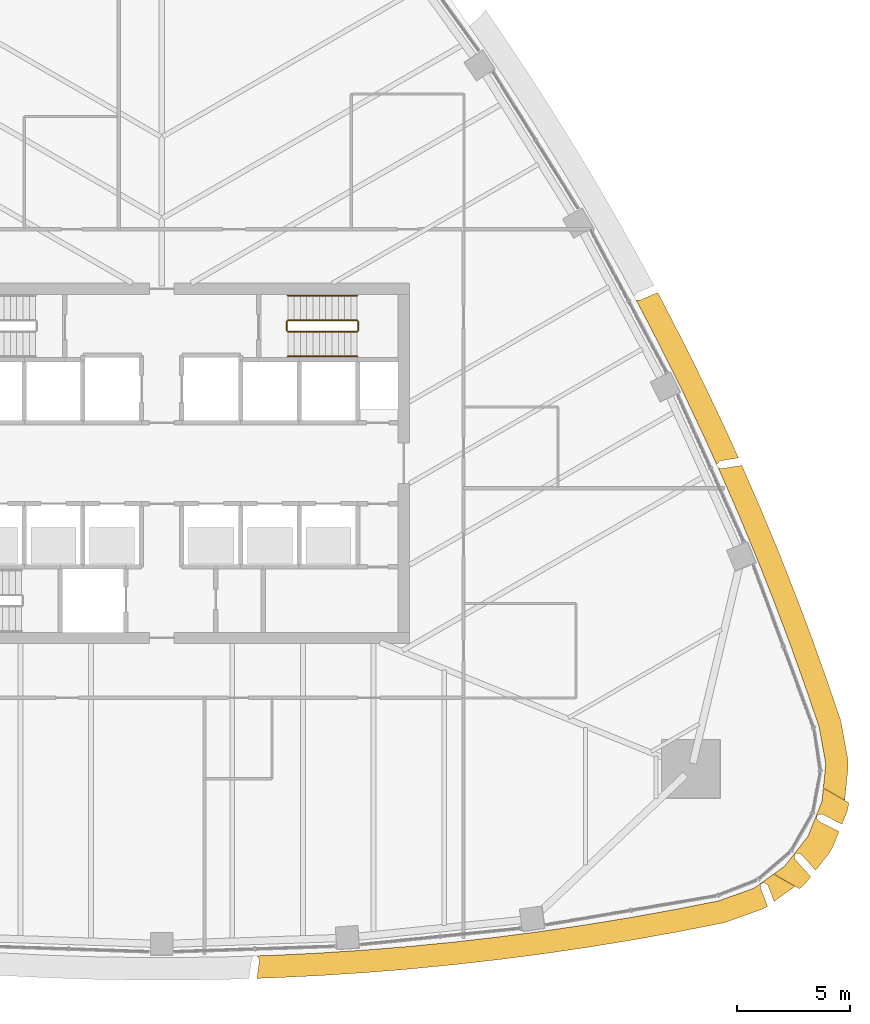
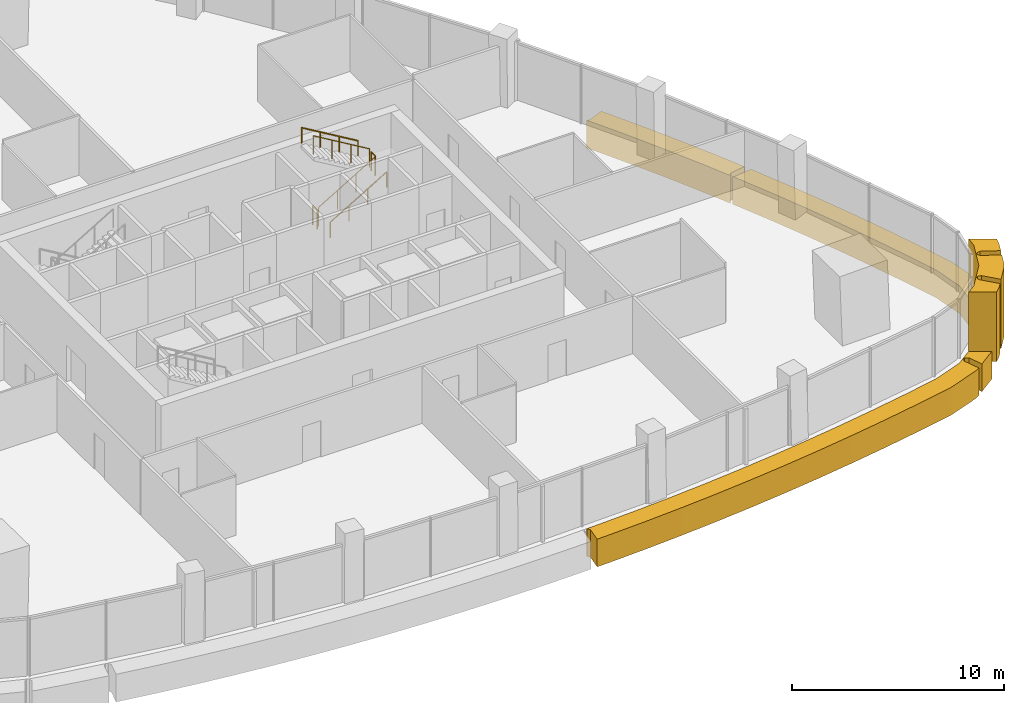
# One storey, part 14 of 16: 6 railings, 4 coverings.
"""IFC4 building model written with IfcOpenShell, lengths in metres."""

from ifc_helpers import new_model, si_unit, direction, frame, origin, origin_2d, place, context, subcontext, project, spatial, polyline, circle, outline, extrude, material, layer, layer_set, type_object, element, save


model = new_model("IFC4")

# Units and contexts
model_context = context("Model", 3, precision=1e-05, world=origin(), true_north=direction((0.0, 1.0)))
body_context = subcontext(model_context, "Body", "Model", "MODEL_VIEW")
ifc_project = project(units=[si_unit("LENGTHUNIT", "METRE"), si_unit("AREAUNIT", "SQUARE_METRE"), si_unit("VOLUMEUNIT", "CUBIC_METRE"), si_unit("PLANEANGLEUNIT", "RADIAN"), si_unit("MASSUNIT", "GRAM", prefix="KILO")], contexts=[model_context])

# Site, building, storey
site_placement = place(None, origin())
site = spatial("IfcSite", under=ifc_project, at=site_placement, CompositionType="ELEMENT")
building_placement = place(site_placement, origin())
building = spatial("IfcBuilding", under=site, at=building_placement, Name="Sierra Prisma Convention Tower", CompositionType="ELEMENT")
storey_placement = place(building_placement, frame((0.0, 0.0, 181.800048828125)))
storey = spatial("IfcBuildingStorey", under=building, at=storey_placement, Name="L40", CompositionType="ELEMENT", Elevation=181.800048828125)

# Coverings
ifc_material_1 = material(Name="Aluminium composite bronze anodised", Category="aluminium")
ifc_layer_1 = layer(ifc_material_1, 1.199951171875)
ifc_layer_set_1 = layer_set([ifc_layer_1], Name="Bronze corner pier")
covering_type_1 = type_object("IfcCoveringType", Name="Bronze corner pier", PredefinedType="CLADDING", material=ifc_layer_set_1)
covering_1_placement = place(storey_placement, frame((0.0, 0.0, -0.60009765625)))
element("IfcCovering", 1, at=covering_1_placement, inside=storey, type_object=covering_type_1, Name="Corner pier SE L40.1", PredefinedType="CLADDING", context=body_context, shape_type="SweptSolid", body=[
    extrude(outline(polyline([(29.339111328125, -15.581787109375), (29.334228515625, -15.580322265625), (29.329345703125, -15.5791015625), (29.32421875, -15.57861328125), (29.3193359375, -15.57861328125), (29.314208984375, -15.578857421875), (29.1650390625, -15.59912109375), (29.160400390625, -15.60009765625), (29.15576171875, -15.601318359375), (29.151123046875, -15.60302734375), (29.14697265625, -15.605224609375), (29.142822265625, -15.60791015625), (29.13916015625, -15.61083984375), (29.1357421875, -15.614013671875), (29.132568359375, -15.61767578125), (29.1298828125, -15.62158203125), (29.127197265625, -15.625732421875), (29.125244140625, -15.6298828125), (29.087890625, -15.722900390625), (29.08642578125, -15.727294921875), (29.085205078125, -15.732177734375), (29.084716796875, -15.73681640625), (29.08447265625, -15.74169921875), (29.084716796875, -15.74658203125), (29.08544921875, -15.75146484375), (29.086669921875, -15.756103515625), (29.088134765625, -15.7607421875), (29.09033203125, -15.76513671875), (29.0927734375, -15.769287109375), (29.166259765625, -15.879150390625), (29.169189453125, -15.88330078125), (29.172607421875, -15.886962890625), (29.176513671875, -15.890380859375), (29.1806640625, -15.893310546875), (29.18505859375, -15.89599609375), (30.075927734375, -16.3486328125), (29.8076171875, -17.014892578125), (29.63916015625, -17.306396484375), (29.0380859375, -18.07421875), (28.3935546875, -17.356689453125), (28.390380859375, -17.353515625), (28.38671875, -17.3505859375), (28.3828125, -17.347900390625), (28.37890625, -17.345458984375), (28.37451171875, -17.343505859375), (28.3701171875, -17.342041015625), (28.36572265625, -17.341064453125), (28.208984375, -17.311279296875), (28.2041015625, -17.310546875), (28.19921875, -17.310302734375), (28.194091796875, -17.310791015625), (28.189208984375, -17.3115234375), (28.1845703125, -17.312744140625), (28.1796875, -17.314453125), (28.17529296875, -17.316650390625), (28.171142578125, -17.3193359375), (28.167236328125, -17.322509765625), (28.16357421875, -17.32568359375), (28.160400390625, -17.32958984375), (28.0986328125, -17.408203125), (28.095703125, -17.41259765625), (28.09326171875, -17.4169921875), (28.091064453125, -17.421875), (28.089599609375, -17.4267578125), (28.088623046875, -17.431884765625), (28.088134765625, -17.43701171875), (28.088134765625, -17.442138671875), (28.088623046875, -17.447265625), (28.08984375, -17.452392578125), (28.1220703125, -17.5703125), (28.12353515625, -17.574951171875), (28.12548828125, -17.5791015625), (28.127685546875, -17.583251953125), (28.130126953125, -17.587158203125), (28.13330078125, -17.5908203125), (28.81884765625, -18.35400390625), (28.606201171875, -18.62548828125), (28.363525390625, -18.85888671875), (28.319580078125, -18.890625), (27.180419921875, -18.23291015625), (27.66162109375, -17.8857421875), (28.6943359375, -16.566650390625), (29.3203125, -15.0126953125), (29.38037109375, -14.42236328125), (30.51953125, -15.080078125), (30.513916015625, -15.13427734375), (30.433349609375, -15.461181640625), (30.207275390625, -16.022705078125), (29.343505859375, -15.583984375), (29.339111328125, -15.581787109375)])), origin(), (0.0, 0.0, 1.0), 4.0),
])
ifc_material_2 = material(Name="Aluminium composite bronze anodised", Category="aluminium")
ifc_layer_2 = layer(ifc_material_2, 1.0)
ifc_layer_set_2 = layer_set([ifc_layer_2], Name="Bronze spandrel band")
covering_type_2 = type_object("IfcCoveringType", Name="Bronze spandrel band", PredefinedType="CLADDING", material=ifc_layer_set_2)
covering_2_placement = place(storey_placement, frame((0.0, 0.0, -1.60009765625)))
element("IfcCovering", 2, at=covering_2_placement, inside=storey, type_object=covering_type_2, Name="Spandrel band L40.4", PredefinedType="CLADDING", context=body_context, shape_type="SweptSolid", body=[
    extrude(outline(polyline([(24.787353515625, 0.10546875), (24.783203125, 0.1025390625), (24.779541015625, 0.099365234375), (24.776123046875, 0.095703125), (24.666015625, -0.03125), (24.6630859375, -0.034912109375), (24.66064453125, -0.038818359375), (24.658447265625, -0.043212890625), (24.65673828125, -0.047607421875), (24.655517578125, -0.052001953125), (24.654541015625, -0.056640625), (24.654052734375, -0.061279296875), (24.654052734375, -0.066162109375), (24.654296875, -0.07080078125), (24.654541015625, -0.0712890625), (24.052490234375, 1.254638671875), (23.19970703125, 3.054443359375), (22.31787109375, 4.840087890625), (21.406982421875, 6.611572265625), (21.052001953125, 7.275390625), (21.054443359375, 7.27294921875), (21.058349609375, 7.27001953125), (21.0625, 7.267578125), (21.06689453125, 7.265380859375), (21.0712890625, 7.263671875), (21.076171875, 7.262451171875), (21.080810546875, 7.26171875), (21.212158203125, 7.24658203125), (21.21728515625, 7.24609375), (21.222412109375, 7.246337890625), (21.2275390625, 7.2470703125), (21.232421875, 7.248291015625), (21.2373046875, 7.25), (22.023193359375, 7.579833984375), (22.288818359375, 7.0830078125), (22.29638671875, 7.068603515625), (23.20703125, 5.297607421875), (23.21435546875, 5.282958984375), (24.09619140625, 3.497314453125), (24.103271484375, 3.482666015625), (24.9560546875, 1.682861328125), (24.962890625, 1.668212890625), (25.6103515625, 0.24267578125), (24.805908203125, 0.1123046875), (24.801025390625, 0.111328125), (24.79638671875, 0.10986328125), (24.791748046875, 0.10791015625), (24.787353515625, 0.10546875)])), origin(), (0.0, 0.0, 1.0), 1.60009765625),
])
covering_3_placement = place(storey_placement, frame((0.0, 0.0, -1.60009765625)))
element("IfcCovering", 3, at=covering_3_placement, inside=storey, type_object=covering_type_2, Name="Spandrel band L40.5", PredefinedType="CLADDING", context=body_context, shape_type="SweptSolid", body=[
    extrude(outline(polyline([(30.4736328125, -13.1669921875), (30.484619140625, -13.447509765625), (30.330810546875, -14.959716796875), (29.38134765625, -14.41162109375), (29.48974609375, -13.34619140625), (29.189697265625, -11.697998046875), (28.54638671875, -9.81298828125), (27.87255859375, -7.93896484375), (27.16845703125, -6.075927734375), (26.43408203125, -4.224609375), (25.669921875, -2.385498046875), (24.8759765625, -0.558837890625), (24.707763671875, -0.188720703125), (24.710693359375, -0.191650390625), (24.714599609375, -0.19482421875), (24.718505859375, -0.19775390625), (24.722900390625, -0.2001953125), (24.7275390625, -0.201904296875), (24.732177734375, -0.20361328125), (24.84130859375, -0.232177734375), (24.84619140625, -0.233154296875), (24.8515625, -0.233642578125), (24.856689453125, -0.233642578125), (24.86181640625, -0.233154296875), (25.76025390625, -0.087646484375), (25.786376953125, -0.145263671875), (25.79296875, -0.16015625), (26.5869140625, -1.98681640625), (26.59326171875, -2.001708984375), (27.357666015625, -3.8408203125), (27.36376953125, -3.85595703125), (28.097900390625, -5.707275390625), (28.103759765625, -5.722412109375), (28.80810546875, -7.58544921875), (28.813720703125, -7.6005859375), (29.4873046875, -9.474853515625), (29.492919921875, -9.489990234375), (30.135986328125, -11.375), (30.173583984375, -11.518798828125), (30.4736328125, -13.1669921875)])), origin(), (0.0, 0.0, 1.0), 1.60009765625),
])
covering_4_placement = place(storey_placement, frame((0.0, 0.0, -1.60009765625)))
element("IfcCovering", 4, at=covering_4_placement, inside=storey, type_object=covering_type_2, Name="Spandrel band L40.6", PredefinedType="CLADDING", context=body_context, shape_type="SweptSolid", body=[
    extrude(outline(polyline([(26.917236328125, -18.72509765625), (26.91455078125, -18.720947265625), (26.9111328125, -18.71728515625), (26.90771484375, -18.713623046875), (26.90380859375, -18.710693359375), (26.8994140625, -18.7080078125), (26.7529296875, -18.6259765625), (26.748779296875, -18.623779296875), (26.744384765625, -18.6220703125), (26.73974609375, -18.620849609375), (26.735107421875, -18.619873046875), (26.73046875, -18.619384765625), (26.7255859375, -18.61962890625), (26.720947265625, -18.6201171875), (26.71630859375, -18.62109375), (26.7119140625, -18.622314453125), (26.70751953125, -18.6240234375), (26.703125, -18.626220703125), (26.69921875, -18.62890625), (26.6181640625, -18.6875), (26.6142578125, -18.6904296875), (26.610595703125, -18.694091796875), (26.607666015625, -18.69775390625), (26.604736328125, -18.701904296875), (26.602294921875, -18.706298828125), (26.6005859375, -18.710693359375), (26.59912109375, -18.715576171875), (26.597900390625, -18.72021484375), (26.597412109375, -18.725341796875), (26.59130859375, -18.837646484375), (26.59130859375, -18.843017578125), (26.591796875, -18.84814453125), (26.593017578125, -18.853271484375), (26.594482421875, -18.858154296875), (26.90185546875, -19.6669921875), (26.88818359375, -19.6767578125), (26.639892578125, -19.807373046875), (25.0625, -20.37158203125), (24.919189453125, -20.4111328125), (22.965087890625, -20.79638671875), (22.94921875, -20.799560546875), (20.989013671875, -21.153076171875), (20.97314453125, -21.15576171875), (19.007568359375, -21.477294921875), (18.99169921875, -21.47998046875), (17.02099609375, -21.769775390625), (17.0048828125, -21.77197265625), (15.030029296875, -22.02978515625), (15.013916015625, -22.031494140625), (13.03515625, -22.25732421875), (13.01904296875, -22.259033203125), (11.036865234375, -22.45263671875), (11.020751953125, -22.4541015625), (9.03564453125, -22.615478515625), (9.019287109375, -22.61669921875), (7.031982421875, -22.745849609375), (7.015869140625, -22.74658203125), (5.026611328125, -22.843505859375), (5.01025390625, -22.84423828125), (4.2294921875, -22.86962890625), (4.339599609375, -22.062744140625), (4.340087890625, -22.05810546875), (4.340087890625, -22.053466796875), (4.339599609375, -22.048828125), (4.338623046875, -22.044189453125), (4.33740234375, -22.039794921875), (4.335693359375, -22.035400390625), (4.33349609375, -22.03125), (4.2548828125, -21.892578125), (4.252197265625, -21.888427734375), (4.249267578125, -21.884521484375), (4.245849609375, -21.880859375), (4.241943359375, -21.877685546875), (4.238037109375, -21.874755859375), (4.233642578125, -21.872314453125), (4.22900390625, -21.870361328125), (4.22509765625, -21.869140625), (4.977783203125, -21.8447265625), (6.967041015625, -21.747802734375), (8.95458984375, -21.61865234375), (10.939697265625, -21.457275390625), (12.921875, -21.263916015625), (14.900634765625, -21.0380859375), (16.87548828125, -20.7802734375), (18.84619140625, -20.490478515625), (20.8115234375, -20.1689453125), (22.771484375, -19.815185546875), (24.7255859375, -19.43017578125), (26.302978515625, -18.86572265625), (27.17138671875, -18.2392578125), (28.120849609375, -18.787353515625), (27.19580078125, -19.454833984375), (26.921630859375, -18.73388671875), (26.919921875, -18.729248046875), (26.917236328125, -18.72509765625)])), origin(), (0.0, 0.0, 1.0), 1.60009765625),
])

# Railings
ifc_material_3 = material(Name="Stainless steel", Category="steel")
railing_type_1 = type_object("IfcRailingType", Name="Exit stair handrail", PredefinedType="HANDRAIL", material=ifc_material_3)
railing_1_placement = place(storey_placement, frame((5.60009765625, 4.75, 0.16650390625)))
element("IfcRailing", 5, at=railing_1_placement, inside=storey, type_object=railing_type_1, Name="L40 S4 stair handrail 1", PredefinedType="HANDRAIL", context=body_context, shape_type="SweptSolid", body=[
    extrude(circle(Radius=0.02392578125, at=origin_2d()), frame((0.0, 0.0, 0.8759765625), z_axis=(0.859260807169, 0.0, 0.511537745687), x_axis=(0.0, 1.0, 0.0)), (0.0, 0.0, 1.0), 3.584228515625),
    extrude(circle(Radius=0.02099609375, at=origin_2d()), origin(), (0.0, 0.0, 1.0), 0.851806640625),
    extrude(circle(Radius=0.02099609375, at=origin_2d()), frame((1.026611328125, 0.0, 0.611083984375)), (0.0, 0.0, 1.0), 0.851806640625),
    extrude(circle(Radius=0.02099609375, at=origin_2d()), frame((2.05322265625, 0.0, 1.222412109375)), (0.0, 0.0, 1.0), 0.851806640625),
    extrude(circle(Radius=0.02099609375, at=origin_2d()), frame((3.079833984375, 0.0, 1.83349609375)), (0.0, 0.0, 1.0), 0.851806640625),
])
railing_2_placement = place(storey_placement, frame((8.679931640625, 7.449951171875, 2.16650390625)))
element("IfcRailing", 6, at=railing_2_placement, inside=storey, type_object=railing_type_1, Name="L40 S4 stair handrail 2", PredefinedType="HANDRAIL", context=body_context, shape_type="SweptSolid", body=[
    extrude(circle(Radius=0.02392578125, at=origin_2d()), frame((0.0, 0.0, 0.8759765625), z_axis=(-0.859260807169, 0.0, 0.511537745687), x_axis=(0.0, -1.0, 0.0)), (0.0, 0.0, 1.0), 3.584228515625),
    extrude(circle(Radius=0.02099609375, at=origin_2d()), origin(), (0.0, 0.0, 1.0), 0.851806640625),
    extrude(circle(Radius=0.02099609375, at=origin_2d()), frame((-1.026611328125, 0.0, 0.611083984375)), (0.0, 0.0, 1.0), 0.851806640625),
    extrude(circle(Radius=0.02099609375, at=origin_2d()), frame((-2.05322265625, 0.0, 1.222412109375)), (0.0, 0.0, 1.0), 0.851806640625),
    extrude(circle(Radius=0.02099609375, at=origin_2d()), frame((-3.079833984375, 0.0, 1.83349609375)), (0.0, 0.0, 1.0), 0.851806640625),
])
ifc_material_4 = material(Name="Stainless steel", Category="steel")
railing_type_2 = type_object("IfcRailingType", Name="Stair guard 1100", PredefinedType="GUARDRAIL", material=ifc_material_4)
railing_3_placement = place(storey_placement, frame((5.60009765625, 5.85009765625, 0.16650390625)))
element("IfcRailing", 7, at=railing_3_placement, inside=storey, type_object=railing_type_2, Name="L40 S4 stair guard 1", PredefinedType="GUARDRAIL", context=body_context, shape_type="SweptSolid", body=[
    extrude(circle(Radius=0.02392578125, at=origin_2d()), frame((0.0, 0.0, 1.076171875), z_axis=(0.859260807169, 0.0, 0.511537745687), x_axis=(0.0, 1.0, 0.0)), (0.0, 0.0, 1.0), 3.584228515625),
    extrude(circle(Radius=0.02099609375, at=origin_2d()), origin(), (0.0, 0.0, 1.0), 1.052001953125),
    extrude(circle(Radius=0.02099609375, at=origin_2d()), frame((1.026611328125, 0.0, 0.611083984375)), (0.0, 0.0, 1.0), 1.052001953125),
    extrude(circle(Radius=0.02099609375, at=origin_2d()), frame((2.05322265625, 0.0, 1.222412109375)), (0.0, 0.0, 1.0), 1.052001953125),
    extrude(circle(Radius=0.02099609375, at=origin_2d()), frame((3.079833984375, 0.0, 1.83349609375)), (0.0, 0.0, 1.0), 1.052001953125),
])
railing_4_placement = place(storey_placement, frame((8.72998046875, 5.89990234375, 2.0)))
element("IfcRailing", 8, at=railing_4_placement, inside=storey, type_object=railing_type_2, Name="L40 S4 stair guard 2", PredefinedType="GUARDRAIL", context=body_context, shape_type="SweptSolid", body=[
    extrude(circle(Radius=0.02392578125, at=origin_2d()), frame((0.0, 0.0, 1.076171875), z_axis=(0.0, 1.0, 0.0), x_axis=(-1.0, 0.0, 0.0)), (0.0, 0.0, 1.0), 0.400146484375),
    extrude(circle(Radius=0.02099609375, at=origin_2d()), origin(), (0.0, 0.0, 1.0), 1.052001953125),
    extrude(circle(Radius=0.02099609375, at=origin_2d()), frame((0.0, 0.400146484375, 0.0)), (0.0, 0.0, 1.0), 1.052001953125),
])
railing_5_placement = place(storey_placement, frame((8.679931640625, 6.35009765625, 2.16650390625)))
element("IfcRailing", 9, at=railing_5_placement, inside=storey, type_object=railing_type_2, Name="L40 S4 stair guard 3", PredefinedType="GUARDRAIL", context=body_context, shape_type="SweptSolid", body=[
    extrude(circle(Radius=0.02392578125, at=origin_2d()), frame((0.0, 0.0, 1.076171875), z_axis=(-0.859260807169, 0.0, 0.511537745687), x_axis=(0.0, -1.0, 0.0)), (0.0, 0.0, 1.0), 3.584228515625),
    extrude(circle(Radius=0.02099609375, at=origin_2d()), origin(), (0.0, 0.0, 1.0), 1.052001953125),
    extrude(circle(Radius=0.02099609375, at=origin_2d()), frame((-1.026611328125, 0.0, 0.611083984375)), (0.0, 0.0, 1.0), 1.052001953125),
    extrude(circle(Radius=0.02099609375, at=origin_2d()), frame((-2.05322265625, 0.0, 1.222412109375)), (0.0, 0.0, 1.0), 1.052001953125),
    extrude(circle(Radius=0.02099609375, at=origin_2d()), frame((-3.079833984375, 0.0, 1.83349609375)), (0.0, 0.0, 1.0), 1.052001953125),
])
railing_6_placement = place(storey_placement, frame((5.550048828125, 5.89990234375, 0.0)))
element("IfcRailing", 10, at=railing_6_placement, inside=storey, type_object=railing_type_2, Name="L40 S4 stair guard 4", PredefinedType="GUARDRAIL", context=body_context, shape_type="SweptSolid", body=[
    extrude(circle(Radius=0.02392578125, at=origin_2d()), frame((0.0, 0.0, 1.076171875), z_axis=(0.0, 1.0, 0.0), x_axis=(-1.0, 0.0, 0.0)), (0.0, 0.0, 1.0), 0.400146484375),
    extrude(circle(Radius=0.02099609375, at=origin_2d()), origin(), (0.0, 0.0, 1.0), 1.052001953125),
    extrude(circle(Radius=0.02099609375, at=origin_2d()), frame((0.0, 0.400146484375, 0.0)), (0.0, 0.0, 1.0), 1.052001953125),
])

save(model, "model.ifc")
